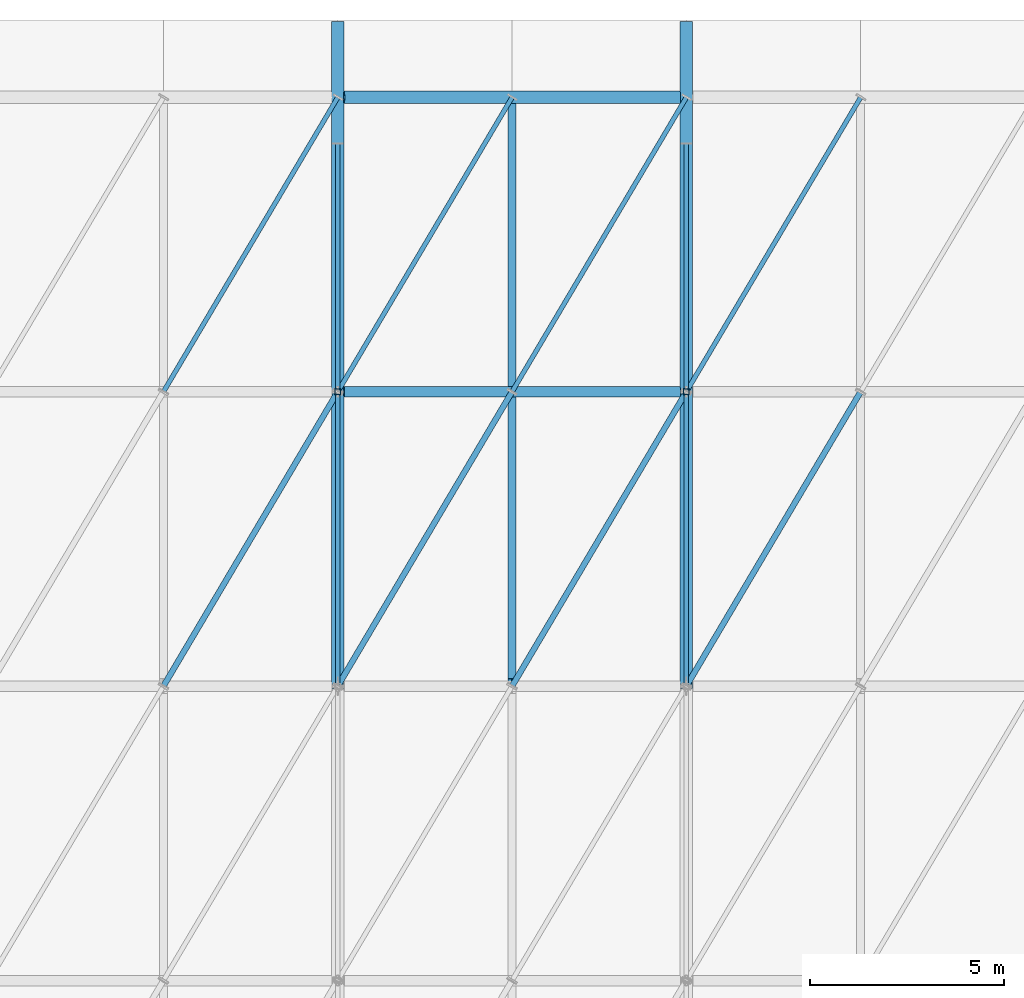
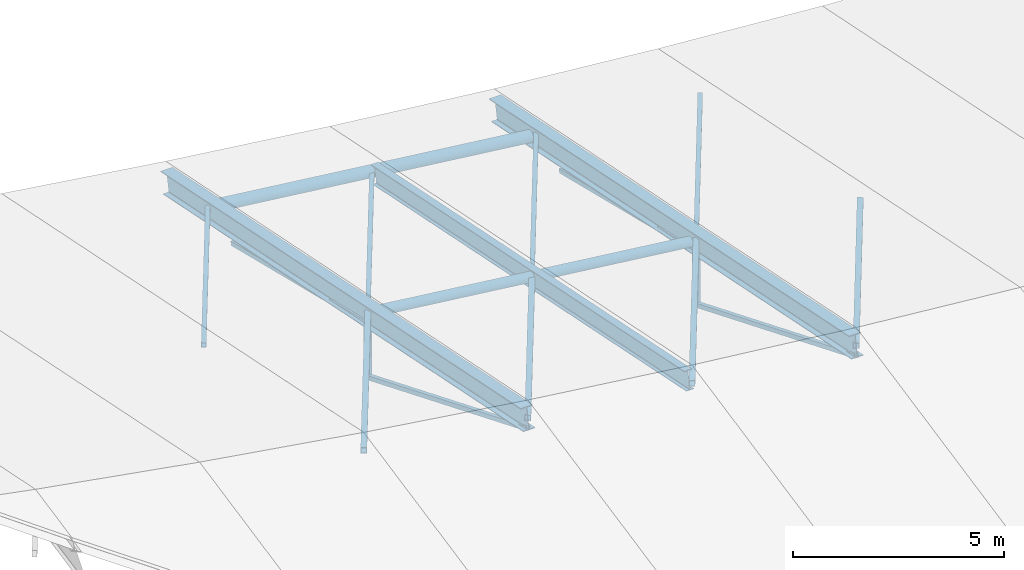
# One storey, part 10 of 21: 14 members, 5 beams.
"""IFC4 building model written with IfcOpenShell, lengths in metres."""

from ifc_helpers import new_model, si_unit, direction, frame, origin, origin_2d, place, context, subcontext, project, spatial, hollow_rectangle, hollow_circle, i_section, extrude, material, material_profile, profile_set, type_object, element, save


model = new_model("IFC4")

# Units and contexts
model_context = context("Model", 3, precision=1e-05, world=origin(), true_north=direction((0.0, 1.0)))
body_context = subcontext(model_context, "Body", "Model", "MODEL_VIEW")
ifc_project = project(units=[si_unit("LENGTHUNIT", "METRE"), si_unit("AREAUNIT", "SQUARE_METRE"), si_unit("VOLUMEUNIT", "CUBIC_METRE"), si_unit("PLANEANGLEUNIT", "RADIAN"), si_unit("MASSUNIT", "GRAM", prefix="KILO")], contexts=[model_context])

# Site, building, storey
site_placement = place(None, origin())
site = spatial("IfcSite", under=ifc_project, at=site_placement, CompositionType="ELEMENT")
building_placement = place(site_placement, origin())
building = spatial("IfcBuilding", under=site, at=building_placement, Name="Caisbarro Railhouse Central Library", CompositionType="ELEMENT")
storey_placement = place(building_placement, frame((0.0, 0.0, 26.639892578125)))
storey = spatial("IfcBuildingStorey", under=building, at=storey_placement, Name="RF", CompositionType="ELEMENT", Elevation=26.639892578125)

# Beams
ifc_material = material(Name="Steel ASTM A572 Grade 50", Category="steel")
ifc_material_profile_1 = material_profile(ifc_material, i_section(OverallWidth=0.324951171875, OverallDepth=0.615966796875, WebThickness=0.013916015625, FlangeThickness=0.021484375, FilletRadius=0.02197265625, at=origin_2d()), Name="W610X174.0")
ifc_profile_set_1 = profile_set([ifc_material_profile_1], Name="Steel ASTM A572 Grade 50")
beam_type_1 = type_object("IfcBeamType", Name="BM-G02", PredefinedType="BEAM", material=ifc_profile_set_1)
for number, where, z_axis, x_axis, name in (
    (1, (36.0, 45.60009765625, -4.809814453125), (0.0, 0.979828942298, -0.199838044013), (-1.0, 0.0, 0.0), "V1 Gridshell North Rafter X=36"),
    (2, (45.0, 45.60009765625, -5.85986328125), (0.0, 0.979828942298, -0.199838044013), (-1.0, 0.0, 0.0), "V1 Gridshell North Rafter X=45"),
):
    element("IfcBeam", number, at=place(storey_placement, frame(where, z_axis=z_axis, x_axis=x_axis)), inside=storey, type_object=beam_type_1, Name=name, PredefinedType="BEAM", context=body_context, shape_type="SweptSolid", body=[
        extrude(i_section(OverallWidth=0.324951171875, OverallDepth=0.615966796875, WebThickness=0.013916015625, FlangeThickness=0.021484375, FilletRadius=0.02197265625, at=origin_2d()), origin(), (0.0, 0.0, 1.0), 17.451904296875),
    ])
ifc_material_profile_2 = material_profile(ifc_material, i_section(OverallWidth=0.208984375, OverallDepth=0.532958984375, WebThickness=0.01025390625, FlangeThickness=0.015625, FilletRadius=0.02001953125, at=origin_2d()), Name="W530X92.0")
ifc_profile_set_2 = profile_set([ifc_material_profile_2], Name="Steel ASTM A572 Grade 50")
beam_type_2 = type_object("IfcBeamType", Name="BM-G06", PredefinedType="BEAM", material=ifc_profile_set_2)
beam_1_placement = place(storey_placement, frame((40.5, 45.739990234375, -5.363525390625), z_axis=(0.0, 0.979832431979, -0.19982093294), x_axis=(-1.0, 0.0, 0.0)))
element("IfcBeam", 3, at=beam_1_placement, inside=storey, type_object=beam_type_2, Name="V1 Gridshell Secondary Rafter North 5", PredefinedType="BEAM", context=body_context, shape_type="SweptSolid", body=[
    extrude(i_section(OverallWidth=0.208984375, OverallDepth=0.532958984375, WebThickness=0.01025390625, FlangeThickness=0.015625, FilletRadius=0.02001953125, at=origin_2d()), origin(), (0.0, 0.0, 1.0), 15.20166015625),
])
ifc_material_profile_3 = material_profile(ifc_material, hollow_circle(Radius=0.161865234375, WallThickness=0.01611328125, at=origin_2d()), Name="CHS323.9X16.0")
ifc_profile_set_3 = profile_set([ifc_material_profile_3], Name="Steel ASTM A572 Grade 50")
beam_type_3 = type_object("IfcBeamType", Name="BM-RB01", PredefinedType="BEAM", material=ifc_profile_set_3)
beam_2_placement = place(storey_placement, frame((36.1650390625, 60.800048828125, -7.92919921875), z_axis=(0.993263353707, 0.0, -0.115878859946), x_axis=(0.0, 1.0, 0.0)))
element("IfcBeam", 4, at=beam_2_placement, inside=storey, type_object=beam_type_3, Name="V1 Gridshell Longitudinal Chord N05", PredefinedType="BEAM", context=body_context, shape_type="SweptSolid", body=[
    extrude(hollow_circle(Radius=0.161865234375, WallThickness=0.01611328125, at=origin_2d()), origin(), (0.0, 0.0, 1.0), 8.728759765625),
])
ifc_material_profile_4 = material_profile(ifc_material, hollow_circle(Radius=0.136474609375, WallThickness=0.012451171875, at=origin_2d()), Name="CHS273.0X12.5")
ifc_profile_set_4 = profile_set([ifc_material_profile_4], Name="Steel ASTM A572 Grade 50")
beam_type_4 = type_object("IfcBeamType", Name="BM-RB02", PredefinedType="BEAM", material=ifc_profile_set_4)
beam_3_placement = place(storey_placement, frame((36.1650390625, 53.199951171875, -6.379150390625), z_axis=(0.993263353707, 0.0, -0.115878859946), x_axis=(0.0, 1.0, 0.0)))
element("IfcBeam", 5, at=beam_3_placement, inside=storey, type_object=beam_type_4, Name="V1 Gridshell Longitudinal Chord Q205", PredefinedType="BEAM", context=body_context, shape_type="SweptSolid", body=[
    extrude(hollow_circle(Radius=0.136474609375, WallThickness=0.012451171875, at=origin_2d()), origin(), (0.0, 0.0, 1.0), 8.728759765625),
])

# Members
ifc_material_profile_5 = material_profile(ifc_material, hollow_rectangle(XDim=0.14990234375, YDim=0.14990234375, WallThickness=0.010009765625, at=origin_2d()), Name="HSS150X150X10")
ifc_profile_set_5 = profile_set([ifc_material_profile_5], Name="Steel ASTM A572 Grade 50")
member_type_1 = type_object("IfcMemberType", Name="MEM-GS01", PredefinedType="STRUT", material=ifc_profile_set_5)
member_1_placement = place(storey_placement, frame((36.0, 53.199951171875, -8.2080078125), z_axis=(0.0, 0.0, 1.0), x_axis=(1.0, 0.0, 0.0)))
element("IfcMember", 6, at=member_1_placement, inside=storey, type_object=member_type_1, Name="V1 Gridshell QPN Strut 5", PredefinedType="STRUT", context=body_context, shape_type="SweptSolid", body=[
    extrude(hollow_rectangle(XDim=0.14990234375, YDim=0.14990234375, WallThickness=0.010009765625, at=origin_2d()), origin(), (0.0, 0.0, 1.0), 1.565185546875),
])
member_2_placement = place(storey_placement, frame((45.0, 53.199951171875, -9.2578125), z_axis=(0.0, 0.0, 1.0), x_axis=(1.0, 0.0, 0.0)))
element("IfcMember", 7, at=member_2_placement, inside=storey, type_object=member_type_1, Name="V1 Gridshell QPN Strut 6", PredefinedType="STRUT", context=body_context, shape_type="SweptSolid", body=[
    extrude(hollow_rectangle(XDim=0.14990234375, YDim=0.14990234375, WallThickness=0.010009765625, at=origin_2d()), origin(), (0.0, 0.0, 1.0), 1.56494140625),
])
member_3_placement = place(storey_placement, frame((31.5, 45.60009765625, -4.17236328125), z_axis=(0.494556470583, 0.835234829253, -0.240409395422), x_axis=(-0.860471083771, 0.509499277717, 0.0)))
element("IfcMember", 8, at=member_3_placement, inside=storey, type_object=member_type_1, Name="V1 Gridshell Diagonal Strut 31", PredefinedType="STRUT", context=body_context, shape_type="SweptSolid", body=[
    extrude(hollow_rectangle(XDim=0.14990234375, YDim=0.14990234375, WallThickness=0.010009765625, at=origin_2d()), origin(), (0.0, 0.0, 1.0), 9.09912109375),
])
member_4_placement = place(storey_placement, frame((36.0, 45.60009765625, -4.809814453125), z_axis=(0.495521887001, 0.836865278888, -0.23262537371), x_axis=(-0.860471083771, 0.509499277717, 0.0)))
element("IfcMember", 9, at=member_4_placement, inside=storey, type_object=member_type_1, Name="V1 Gridshell Diagonal Strut 35", PredefinedType="STRUT", context=body_context, shape_type="SweptSolid", body=[
    extrude(hollow_rectangle(XDim=0.14990234375, YDim=0.14990234375, WallThickness=0.010009765625, at=origin_2d()), origin(), (0.0, 0.0, 1.0), 9.081298828125),
])
member_5_placement = place(storey_placement, frame((40.5, 45.60009765625, -5.372314453125), z_axis=(0.496459030337, 0.83844797935, -0.224796390364), x_axis=(-0.860471083771, 0.509499277717, 0.0)))
element("IfcMember", 10, at=member_5_placement, inside=storey, type_object=member_type_1, Name="V1 Gridshell Diagonal Strut 39", PredefinedType="STRUT", context=body_context, shape_type="SweptSolid", body=[
    extrude(hollow_rectangle(XDim=0.14990234375, YDim=0.14990234375, WallThickness=0.010009765625, at=origin_2d()), origin(), (0.0, 0.0, 1.0), 9.064208984375),
])
member_6_placement = place(storey_placement, frame((45.0, 45.60009765625, -5.85986328125), z_axis=(0.497367375242, 0.839982043398, -0.216923628991), x_axis=(-0.860471083771, 0.509499277717, 0.0)))
element("IfcMember", 11, at=member_6_placement, inside=storey, type_object=member_type_1, Name="V1 Gridshell Diagonal Strut 43", PredefinedType="STRUT", context=body_context, shape_type="SweptSolid", body=[
    extrude(hollow_rectangle(XDim=0.14990234375, YDim=0.14990234375, WallThickness=0.010009765625, at=origin_2d()), origin(), (0.0, 0.0, 1.0), 9.047607421875),
])
ifc_material_profile_6 = material_profile(ifc_material, hollow_rectangle(XDim=0.1201171875, YDim=0.1201171875, WallThickness=0.008056640625, at=origin_2d()), Name="HSS120X120X8")
ifc_profile_set_6 = profile_set([ifc_material_profile_6], Name="Steel ASTM A572 Grade 50")
member_type_2 = type_object("IfcMemberType", Name="MEM-GS02", PredefinedType="STRUT", material=ifc_profile_set_6)
member_7_placement = place(storey_placement, frame((36.0, 59.60009765625, -8.2080078125), z_axis=(0.0, -0.971374309995, 0.237554098851), x_axis=(1.0, 0.0, 0.0)))
element("IfcMember", 12, at=member_7_placement, inside=storey, type_object=member_type_2, Name="V1 Gridshell Truss Web DN1 5", PredefinedType="STRUT", context=body_context, shape_type="SweptSolid", body=[
    extrude(hollow_rectangle(XDim=0.1201171875, YDim=0.1201171875, WallThickness=0.008056640625, at=origin_2d()), origin(), (0.0, 0.0, 1.0), 6.5888671875),
])
member_8_placement = place(storey_placement, frame((36.0, 53.199951171875, -8.2080078125), z_axis=(0.0, -0.925282053905, 0.379279739402), x_axis=(1.0, 0.0, 0.0)))
element("IfcMember", 13, at=member_8_placement, inside=storey, type_object=member_type_2, Name="V1 Gridshell Truss Web DN2 5", PredefinedType="STRUT", context=body_context, shape_type="SweptSolid", body=[
    extrude(hollow_rectangle(XDim=0.1201171875, YDim=0.1201171875, WallThickness=0.008056640625, at=origin_2d()), origin(), (0.0, 0.0, 1.0), 8.213623046875),
])
member_9_placement = place(storey_placement, frame((45.0, 59.60009765625, -9.2578125), z_axis=(0.0, -0.971382859831, 0.237519135286), x_axis=(1.0, 0.0, 0.0)))
element("IfcMember", 14, at=member_9_placement, inside=storey, type_object=member_type_2, Name="V1 Gridshell Truss Web DN1 6", PredefinedType="STRUT", context=body_context, shape_type="SweptSolid", body=[
    extrude(hollow_rectangle(XDim=0.1201171875, YDim=0.1201171875, WallThickness=0.008056640625, at=origin_2d()), origin(), (0.0, 0.0, 1.0), 6.588623046875),
])
member_10_placement = place(storey_placement, frame((45.0, 53.199951171875, -9.2578125), z_axis=(0.0, -0.925292485077, 0.379254290761), x_axis=(1.0, 0.0, 0.0)))
element("IfcMember", 15, at=member_10_placement, inside=storey, type_object=member_type_2, Name="V1 Gridshell Truss Web DN2 6", PredefinedType="STRUT", context=body_context, shape_type="SweptSolid", body=[
    extrude(hollow_rectangle(XDim=0.1201171875, YDim=0.1201171875, WallThickness=0.008056640625, at=origin_2d()), origin(), (0.0, 0.0, 1.0), 8.21337890625),
])
member_11_placement = place(storey_placement, frame((31.5, 53.199951171875, -5.722412109375), z_axis=(0.494545387508, 0.835242942335, -0.240404007816), x_axis=(-0.860478259115, 0.509487159397, 0.0)))
element("IfcMember", 16, at=member_11_placement, inside=storey, type_object=member_type_2, Name="V1 Gridshell Diagonal Strut 32", PredefinedType="STRUT", context=body_context, shape_type="SweptSolid", body=[
    extrude(hollow_rectangle(XDim=0.1201171875, YDim=0.1201171875, WallThickness=0.008056640625, at=origin_2d()), origin(), (0.0, 0.0, 1.0), 9.099365234375),
])
member_12_placement = place(storey_placement, frame((36.0, 53.199951171875, -6.35986328125), z_axis=(0.495510738895, 0.836873334517, -0.232620140173), x_axis=(-0.860478259115, 0.509487159397, 0.0)))
element("IfcMember", 17, at=member_12_placement, inside=storey, type_object=member_type_2, Name="V1 Gridshell Diagonal Strut 36", PredefinedType="STRUT", context=body_context, shape_type="SweptSolid", body=[
    extrude(hollow_rectangle(XDim=0.1201171875, YDim=0.1201171875, WallThickness=0.008056640625, at=origin_2d()), origin(), (0.0, 0.0, 1.0), 9.08154296875),
])
member_13_placement = place(storey_placement, frame((40.5, 53.199951171875, -6.92236328125), z_axis=(0.496447818862, 0.838455978797, -0.224791313814), x_axis=(-0.860478259115, 0.509487159397, 0.0)))
element("IfcMember", 18, at=member_13_placement, inside=storey, type_object=member_type_2, Name="V1 Gridshell Diagonal Strut 40", PredefinedType="STRUT", context=body_context, shape_type="SweptSolid", body=[
    extrude(hollow_rectangle(XDim=0.1201171875, YDim=0.1201171875, WallThickness=0.008056640625, at=origin_2d()), origin(), (0.0, 0.0, 1.0), 9.064453125),
])
member_14_placement = place(storey_placement, frame((45.0, 53.199951171875, -7.409912109375), z_axis=(0.497359013077, 0.839994904355, -0.216892998433), x_axis=(-0.860478259115, 0.509487159397, 0.0)))
element("IfcMember", 19, at=member_14_placement, inside=storey, type_object=member_type_2, Name="V1 Gridshell Diagonal Strut 44", PredefinedType="STRUT", context=body_context, shape_type="SweptSolid", body=[
    extrude(hollow_rectangle(XDim=0.1201171875, YDim=0.1201171875, WallThickness=0.008056640625, at=origin_2d()), origin(), (0.0, 0.0, 1.0), 9.0478515625),
])

save(model, "model.ifc")
